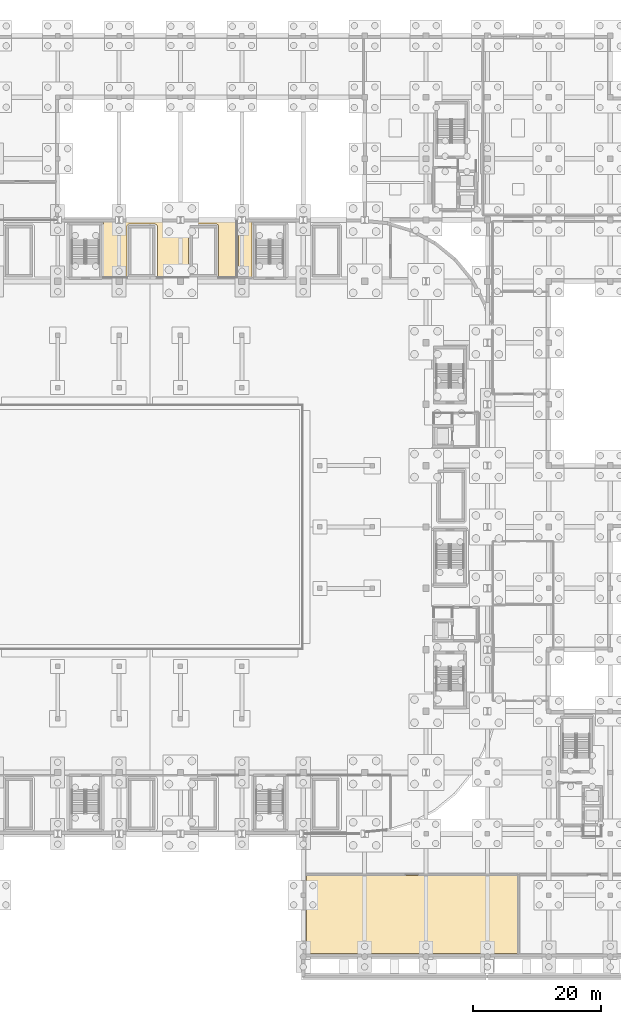
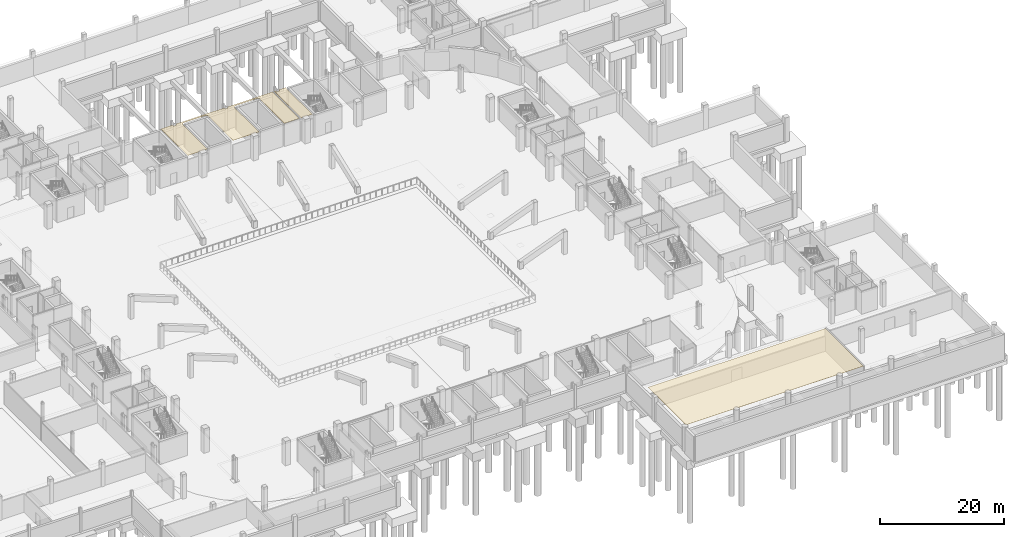
# One storey, part 54 of 67: 3 coverings.
"""IFC4 building model written with IfcOpenShell, lengths in metres."""

from ifc_helpers import new_model, si_unit, direction, frame, origin, place, context, subcontext, project, spatial, polyline, outline, extrude, material, layer, layer_set, type_object, element, save


model = new_model("IFC4")

# Units and contexts
model_context = context("Model", 3, precision=1e-05, world=origin(), true_north=direction((0.0, 1.0)))
body_context = subcontext(model_context, "Body", "Model", "MODEL_VIEW")
ifc_project = project(units=[si_unit("LENGTHUNIT", "METRE"), si_unit("AREAUNIT", "SQUARE_METRE"), si_unit("VOLUMEUNIT", "CUBIC_METRE"), si_unit("PLANEANGLEUNIT", "RADIAN"), si_unit("MASSUNIT", "GRAM", prefix="KILO")], contexts=[model_context])

# Site, building, storey
site_placement = place(None, origin())
site = spatial("IfcSite", under=ifc_project, at=site_placement, CompositionType="ELEMENT")
building_placement = place(site_placement, origin())
building = spatial("IfcBuilding", under=site, at=building_placement, Name="Caelomonte Colonnade Arena", CompositionType="ELEMENT")
storey_placement = place(building_placement, frame((0.0, 0.0, -4.800048828125)))
storey = spatial("IfcBuildingStorey", under=building, at=storey_placement, Name="B1", CompositionType="ELEMENT", Elevation=-4.800048828125)

# Coverings
ifc_material = material(Name="Perforated acoustic mineral-fibre ceiling")
ifc_layer = layer(ifc_material, 0.0400390625)
ifc_layer_set = layer_set([ifc_layer], Name="Perforated acoustic mineral-fibre ceiling")
covering_type = type_object("IfcCoveringType", Name="INT-CV-CEIL1", PredefinedType="CEILING", material=ifc_layer_set)
covering_1_placement = place(storey_placement, frame((0.0, 0.0, 4.420166015625)))
element("IfcCovering", 1, at=covering_1_placement, inside=storey, type_object=covering_type, Name="B1 Backstage Rigging Staging acoustic ceiling", PredefinedType="CEILING", context=body_context, shape_type="SweptSolid", body=[
    extrude(outline(polyline([(105.29150390625, 114.89990234375), (103.07421875, 114.89990234375), (103.096923828125, 114.862060546875), (103.11572265625, 114.822265625), (103.130615234375, 114.780517578125), (103.141357421875, 114.73779296875), (103.147705078125, 114.694091796875), (103.14990234375, 114.64990234375), (103.14990234375, 106.280029296875), (106.86279296875, 106.280029296875), (106.854248046875, 106.2978515625), (106.83935546875, 106.33935546875), (106.82861328125, 106.382080078125), (106.822265625, 106.42578125), (106.820068359375, 106.469970703125), (106.820068359375, 114.1298828125), (106.822265625, 114.174072265625), (106.82861328125, 114.2177734375), (106.83935546875, 114.260498046875), (106.854248046875, 114.30224609375), (106.873046875, 114.342041015625), (106.895751953125, 114.3798828125), (106.922119140625, 114.41552734375), (106.951904296875, 114.4482421875), (106.984619140625, 114.477783203125), (107.02001953125, 114.504150390625), (107.057861328125, 114.52685546875), (107.097900390625, 114.545654296875), (107.139404296875, 114.560546875), (107.18212890625, 114.5712890625), (107.225830078125, 114.577880859375), (107.27001953125, 114.580078125), (111.030029296875, 114.580078125), (111.1298828125, 114.580078125), (111.174072265625, 114.577880859375), (111.2177734375, 114.5712890625), (111.260498046875, 114.560546875), (111.30224609375, 114.545654296875), (111.342041015625, 114.52685546875), (111.3798828125, 114.504150390625), (111.41552734375, 114.477783203125), (111.4482421875, 114.4482421875), (111.477783203125, 114.41552734375), (111.504150390625, 114.3798828125), (111.52685546875, 114.342041015625), (111.545654296875, 114.30224609375), (111.560546875, 114.260498046875), (111.5712890625, 114.2177734375), (111.577880859375, 114.174072265625), (111.580078125, 114.1298828125), (111.580078125, 106.469970703125), (111.577880859375, 106.42578125), (111.5712890625, 106.382080078125), (111.560546875, 106.33935546875), (111.545654296875, 106.2978515625), (111.537353515625, 106.280029296875), (116.462646484375, 106.280029296875), (116.454345703125, 106.2978515625), (116.439453125, 106.33935546875), (116.4287109375, 106.382080078125), (116.422119140625, 106.42578125), (116.419921875, 106.469970703125), (116.419921875, 114.1298828125), (116.422119140625, 114.174072265625), (116.4287109375, 114.2177734375), (116.439453125, 114.260498046875), (116.454345703125, 114.30224609375), (116.47314453125, 114.342041015625), (116.495849609375, 114.3798828125), (116.522216796875, 114.41552734375), (116.5517578125, 114.4482421875), (116.58447265625, 114.477783203125), (116.6201171875, 114.504150390625), (116.657958984375, 114.52685546875), (116.69775390625, 114.545654296875), (116.739501953125, 114.560546875), (116.7822265625, 114.5712890625), (116.825927734375, 114.577880859375), (116.8701171875, 114.580078125), (120.72998046875, 114.580078125), (120.774169921875, 114.577880859375), (120.81787109375, 114.5712890625), (120.860595703125, 114.560546875), (120.902099609375, 114.545654296875), (120.942138671875, 114.52685546875), (120.97998046875, 114.504150390625), (121.015380859375, 114.477783203125), (121.048095703125, 114.4482421875), (121.077880859375, 114.41552734375), (121.104248046875, 114.3798828125), (121.126953125, 114.342041015625), (121.145751953125, 114.30224609375), (121.16064453125, 114.260498046875), (121.17138671875, 114.2177734375), (121.177734375, 114.174072265625), (121.179931640625, 114.1298828125), (121.179931640625, 106.469970703125), (121.177734375, 106.42578125), (121.17138671875, 106.382080078125), (121.16064453125, 106.33935546875), (121.145751953125, 106.2978515625), (121.13720703125, 106.280029296875), (123.919921875, 106.280029296875), (123.919921875, 114.89990234375), (115.508544921875, 114.89990234375), (115.508544921875, 114.664306640625), (115.508056640625, 114.656494140625), (115.507080078125, 114.648681640625), (115.505126953125, 114.64111328125), (115.50244140625, 114.6337890625), (115.4990234375, 114.626708984375), (115.4951171875, 114.619873046875), (115.490234375, 114.613525390625), (115.485107421875, 114.607666015625), (115.479248046875, 114.6025390625), (115.472900390625, 114.597900390625), (115.46630859375, 114.59375), (115.458984375, 114.59033203125), (115.45166015625, 114.587646484375), (115.444091796875, 114.585693359375), (115.436279296875, 114.584716796875), (115.428466796875, 114.584228515625), (114.971435546875, 114.584228515625), (114.963623046875, 114.584716796875), (114.955810546875, 114.585693359375), (114.9482421875, 114.587646484375), (114.94091796875, 114.59033203125), (114.933837890625, 114.59375), (114.927001953125, 114.597900390625), (114.920654296875, 114.6025390625), (114.914794921875, 114.607666015625), (114.90966796875, 114.613525390625), (114.905029296875, 114.619873046875), (114.90087890625, 114.626708984375), (114.897705078125, 114.6337890625), (114.89501953125, 114.64111328125), (114.89306640625, 114.648681640625), (114.891845703125, 114.656494140625), (114.8916015625, 114.664306640625), (114.8916015625, 114.89990234375), (105.908447265625, 114.89990234375), (105.908447265625, 114.664306640625), (105.908203125, 114.656494140625), (105.906982421875, 114.648681640625), (105.905029296875, 114.64111328125), (105.90234375, 114.6337890625), (105.899169921875, 114.626708984375), (105.89501953125, 114.619873046875), (105.890380859375, 114.613525390625), (105.885009765625, 114.607666015625), (105.87939453125, 114.6025390625), (105.872802734375, 114.597900390625), (105.8662109375, 114.59375), (105.859130859375, 114.59033203125), (105.851806640625, 114.587646484375), (105.843994140625, 114.585693359375), (105.836181640625, 114.584716796875), (105.82861328125, 114.584228515625), (105.37158203125, 114.584228515625), (105.36376953125, 114.584716796875), (105.35595703125, 114.585693359375), (105.348388671875, 114.587646484375), (105.3408203125, 114.59033203125), (105.333740234375, 114.59375), (105.3271484375, 114.597900390625), (105.32080078125, 114.6025390625), (105.31494140625, 114.607666015625), (105.309814453125, 114.613525390625), (105.304931640625, 114.619873046875), (105.30078125, 114.626708984375), (105.297607421875, 114.6337890625), (105.294921875, 114.64111328125), (105.29296875, 114.648681640625), (105.2919921875, 114.656494140625), (105.29150390625, 114.664306640625), (105.29150390625, 114.89990234375)])), origin(), (0.0, 0.0, 1.0), 0.039794921875),
])
covering_2_placement = place(storey_placement, frame((0.0, 0.0, 4.420166015625)))
element("IfcCovering", 2, at=covering_2_placement, inside=storey, type_object=covering_type, Name="B1 Court Equipment Store acoustic ceiling", PredefinedType="CEILING", context=body_context, shape_type="SweptSolid", body=[
    extrude(outline(polyline([(124.491943359375, 114.656494140625), (124.491455078125, 114.664306640625), (124.491455078125, 114.89990234375), (124.280029296875, 114.89990234375), (124.280029296875, 106.280029296875), (126.35009765625, 106.280029296875), (126.35009765625, 114.64990234375), (126.352294921875, 114.694091796875), (126.358642578125, 114.73779296875), (126.369384765625, 114.780517578125), (126.38427734375, 114.822265625), (126.403076171875, 114.862060546875), (126.42578125, 114.89990234375), (125.1083984375, 114.89990234375), (125.1083984375, 114.664306640625), (125.108154296875, 114.656494140625), (125.10693359375, 114.648681640625), (125.10498046875, 114.64111328125), (125.102294921875, 114.6337890625), (125.09912109375, 114.626708984375), (125.094970703125, 114.619873046875), (125.09033203125, 114.613525390625), (125.085205078125, 114.607666015625), (125.079345703125, 114.6025390625), (125.072998046875, 114.597900390625), (125.066162109375, 114.59375), (125.05908203125, 114.59033203125), (125.0517578125, 114.587646484375), (125.044189453125, 114.585693359375), (125.036376953125, 114.584716796875), (125.028564453125, 114.584228515625), (124.571533203125, 114.584228515625), (124.563720703125, 114.584716796875), (124.555908203125, 114.585693359375), (124.54833984375, 114.587646484375), (124.541015625, 114.59033203125), (124.53369140625, 114.59375), (124.527099609375, 114.597900390625), (124.520751953125, 114.6025390625), (124.514892578125, 114.607666015625), (124.509765625, 114.613525390625), (124.5048828125, 114.619873046875), (124.5009765625, 114.626708984375), (124.49755859375, 114.6337890625), (124.494873046875, 114.64111328125), (124.492919921875, 114.648681640625), (124.491943359375, 114.656494140625)])), origin(), (0.0, 0.0, 1.0), 0.039794921875),
])
covering_3_placement = place(storey_placement, frame((0.0, 0.0, 4.420166015625)))
element("IfcCovering", 3, at=covering_3_placement, inside=storey, type_object=covering_type, Name="B1 Firewater and Rainwater Cistern Hall acoustic ceiling", PredefinedType="CEILING", context=body_context, shape_type="SweptSolid", body=[
    extrude(outline(polyline([(163.21240234375, 0.569091796875), (163.220703125, 0.5673828125), (163.4658203125, 0.501708984375), (163.4736328125, 0.4990234375), (163.481201171875, 0.49560546875), (163.488525390625, 0.491455078125), (163.490478515625, 0.489990234375), (163.68994140625, 0.489990234375), (163.68994140625, 0.47998046875), (167.919921875, 0.47998046875), (167.919921875, 12.719970703125), (134.8798828125, 12.719970703125), (134.8798828125, 0.489990234375), (134.889892578125, 0.489990234375), (134.889892578125, 0.47998046875), (143.510009765625, 0.47998046875), (143.510009765625, 0.489990234375), (143.70947265625, 0.489990234375), (143.71142578125, 0.491455078125), (143.71875, 0.49560546875), (143.726318359375, 0.4990234375), (143.734375, 0.501708984375), (143.979248046875, 0.5673828125), (143.987548828125, 0.569091796875), (143.995849609375, 0.56982421875), (144.004150390625, 0.56982421875), (144.012451171875, 0.569091796875), (144.020751953125, 0.5673828125), (144.265625, 0.501708984375), (144.273681640625, 0.4990234375), (144.28125, 0.49560546875), (144.28857421875, 0.491455078125), (144.29052734375, 0.489990234375), (144.489990234375, 0.489990234375), (144.489990234375, 0.47998046875), (153.110107421875, 0.47998046875), (153.110107421875, 0.489990234375), (153.309326171875, 0.489990234375), (153.311279296875, 0.491455078125), (153.318603515625, 0.49560546875), (153.326416015625, 0.4990234375), (153.334228515625, 0.501708984375), (153.579345703125, 0.5673828125), (153.58740234375, 0.569091796875), (153.595703125, 0.56982421875), (153.604248046875, 0.56982421875), (153.612548828125, 0.569091796875), (153.62060546875, 0.5673828125), (153.86572265625, 0.501708984375), (153.873779296875, 0.4990234375), (153.88134765625, 0.49560546875), (153.888671875, 0.491455078125), (153.890625, 0.489990234375), (154.090087890625, 0.489990234375), (154.090087890625, 0.47998046875), (162.7099609375, 0.47998046875), (162.7099609375, 0.489990234375), (162.909423828125, 0.489990234375), (162.911376953125, 0.491455078125), (162.918701171875, 0.49560546875), (162.92626953125, 0.4990234375), (162.934326171875, 0.501708984375), (163.17919921875, 0.5673828125), (163.1875, 0.569091796875), (163.19580078125, 0.56982421875), (163.2041015625, 0.56982421875), (163.21240234375, 0.569091796875)])), origin(), (0.0, 0.0, 1.0), 0.039794921875),
])

save(model, "model.ifc")
